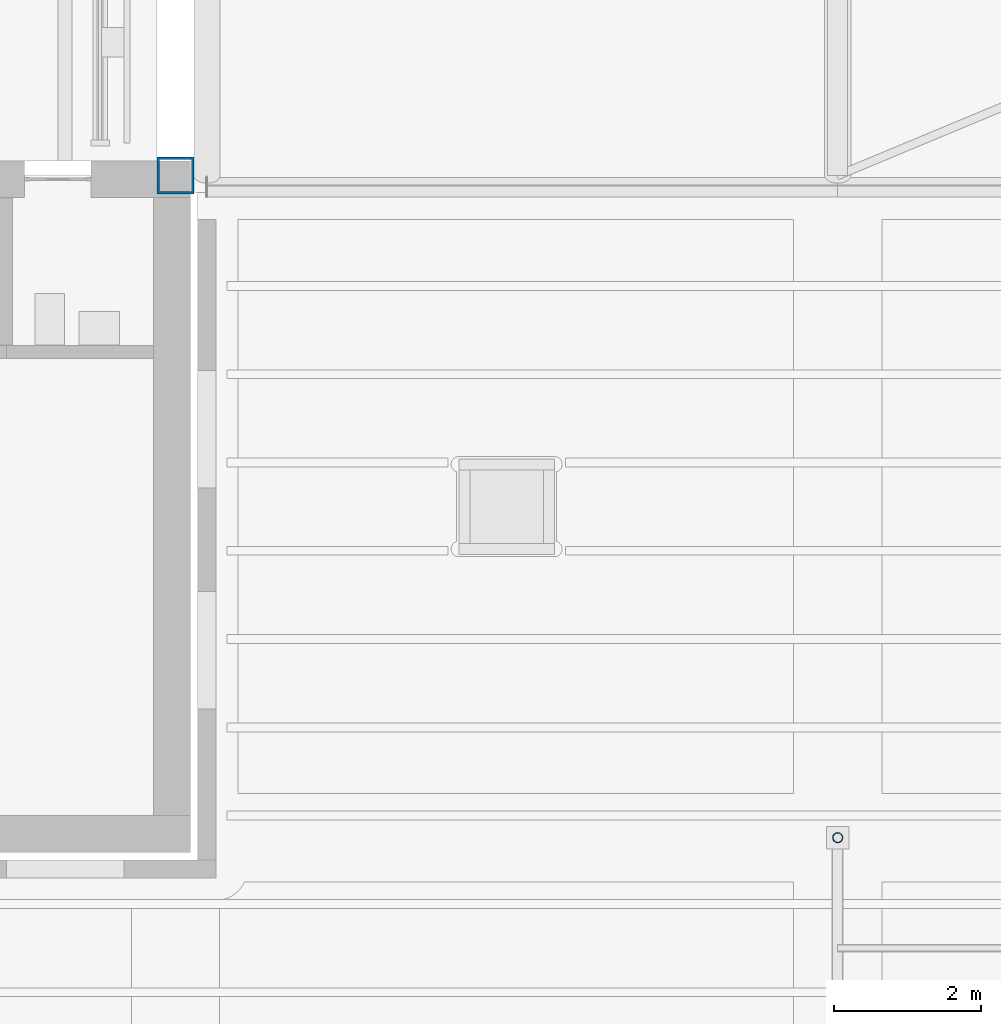
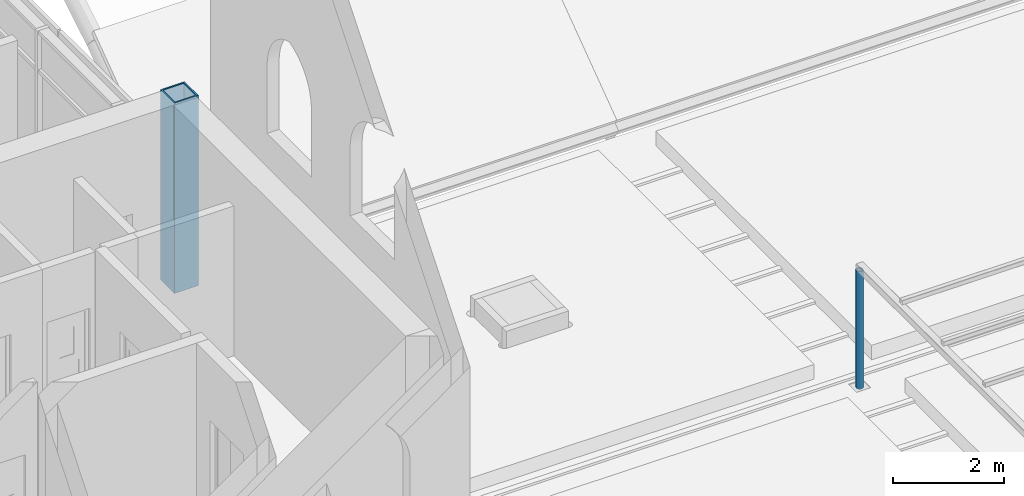
# One storey, part 3 of 153: 2 columns.
"""IFC4 building model written with IfcOpenShell, lengths in metres."""

from ifc_helpers import new_model, si_unit, direction, frame, origin, origin_2d, place, context, subcontext, project, spatial, hollow_rectangle, hollow_circle, extrude, material, material_profile, profile_set, type_object, element, save


model = new_model("IFC4")

# Units and contexts
model_context = context("Model", 3, precision=1e-05, world=origin(), true_north=direction((0.0, 1.0)))
body_context = subcontext(model_context, "Body", "Model", "MODEL_VIEW")
ifc_project = project(units=[si_unit("LENGTHUNIT", "METRE"), si_unit("AREAUNIT", "SQUARE_METRE"), si_unit("VOLUMEUNIT", "CUBIC_METRE"), si_unit("PLANEANGLEUNIT", "RADIAN"), si_unit("MASSUNIT", "GRAM", prefix="KILO")], contexts=[model_context])

# Site, building, storey
site_placement = place(None, origin())
site = spatial("IfcSite", under=ifc_project, at=site_placement, CompositionType="ELEMENT")
building_placement = place(site_placement, origin())
building = spatial("IfcBuilding", under=site, at=building_placement, Name="Baradari Gate Terminus", CompositionType="ELEMENT")
storey_placement = place(building_placement, frame((0.0, 0.0, 11.699951171875)))
storey = spatial("IfcBuildingStorey", under=building, at=storey_placement, Name="L02", CompositionType="ELEMENT", Elevation=11.699951171875)

# Columns
ifc_material_1 = material(Name="Steel S355", Category="steel")
ifc_material_profile_1 = material_profile(ifc_material_1, hollow_rectangle(XDim=0.5, YDim=0.5, WallThickness=0.031982421875, at=origin_2d()), Name="FB 500x500x32")
ifc_profile_set_1 = profile_set([ifc_material_profile_1], Name="Steel S355")
column_type_1 = type_object("IfcColumnType", Name="Abutment end post C06 FB 500x500x32", PredefinedType="COLUMN", material=ifc_profile_set_1)
column_1_placement = place(storey_placement, frame((90.0, 36.0, 0.0), z_axis=(0.0, 0.0, 1.0), x_axis=(1.0, 0.0, 0.0)))
element("IfcColumn", 1, at=column_1_placement, inside=storey, type_object=column_type_1, Name="C06 column 11-E L02", PredefinedType="COLUMN", context=body_context, shape_type="SweptSolid", body=[
    extrude(hollow_rectangle(XDim=0.5, YDim=0.5, WallThickness=0.031982421875, at=origin_2d()), origin(), (0.0, 0.0, 1.0), 4.199951171875),
])
ifc_material_2 = material(Name="Steel S355", Category="steel")
ifc_material_profile_2 = material_profile(ifc_material_2, hollow_circle(Radius=0.06982421875, WallThickness=0.008056640625, at=origin_2d()), Name="CHS 139.7x8")
ifc_profile_set_2 = profile_set([ifc_material_profile_2], Name="Steel S355")
column_type_2 = type_object("IfcColumnType", Name="Pergola post CHS 139.7x8", PredefinedType="COLUMN", material=ifc_profile_set_2)
column_2_placement = place(storey_placement, frame((99.0, 27.0, 0.0), z_axis=(0.0, 0.0, 1.0), x_axis=(1.0, 0.0, 0.0)))
element("IfcColumn", 2, at=column_2_placement, inside=storey, type_object=column_type_2, Name="RF/L02/PGS1-PGC4", PredefinedType="COLUMN", context=body_context, shape_type="SweptSolid", body=[
    extrude(hollow_circle(Radius=0.06982421875, WallThickness=0.008056640625, at=origin_2d()), origin(), (0.0, 0.0, 1.0), 2.60009765625),
])

save(model, "model.ifc")
